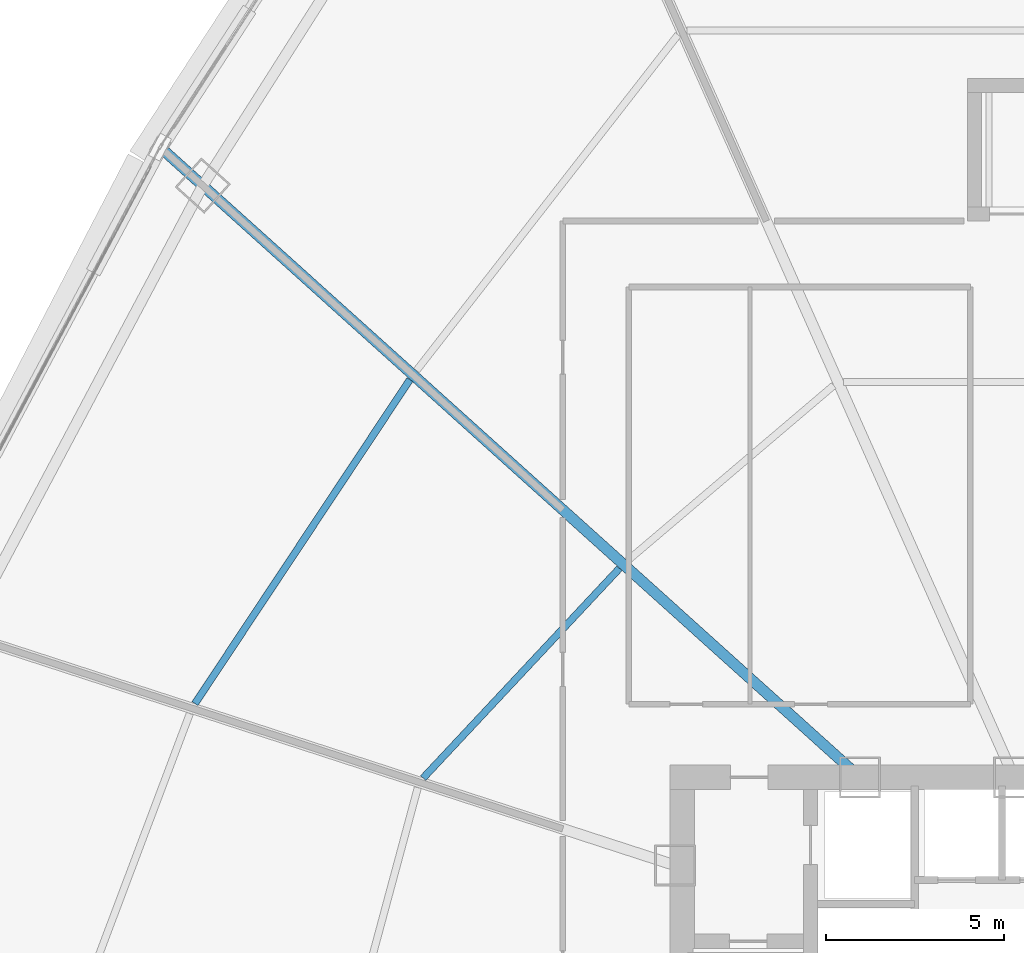
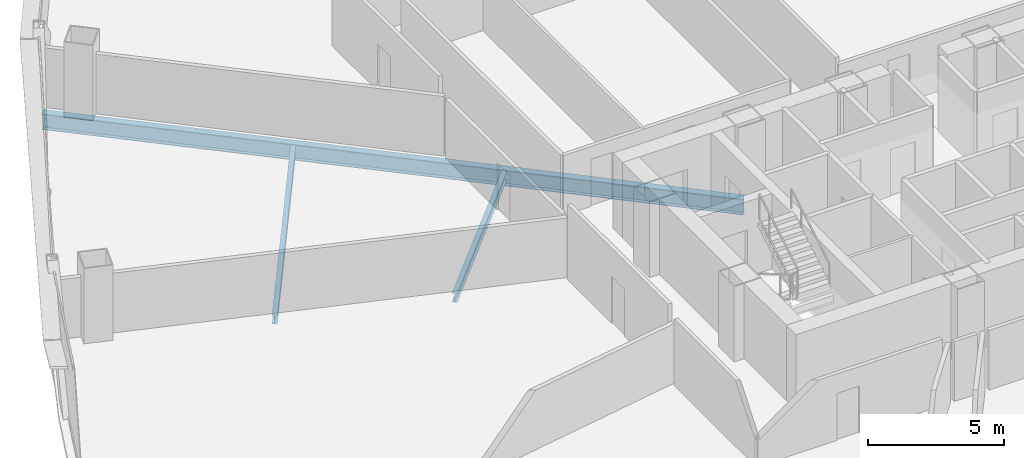
# One storey, part 15 of 42: 3 beams.
"""IFC4 building model written with IfcOpenShell, lengths in metres."""

from ifc_helpers import new_model, si_unit, direction, frame, origin, origin_2d, place, context, subcontext, project, spatial, i_section, extrude, source, transform, mapped, material, material_profile, profile_set, type_object, element, save


model = new_model("IFC4")

# Units and contexts
model_context = context("Model", 3, precision=1e-05, world=origin(), true_north=direction((0.0, 1.0)))
body_context = subcontext(model_context, "Body", "Model", "MODEL_VIEW")
ifc_project = project(units=[si_unit("LENGTHUNIT", "METRE"), si_unit("AREAUNIT", "SQUARE_METRE"), si_unit("VOLUMEUNIT", "CUBIC_METRE"), si_unit("PLANEANGLEUNIT", "RADIAN"), si_unit("MASSUNIT", "GRAM", prefix="KILO"), si_unit("THERMODYNAMICTEMPERATUREUNIT", "KELVIN"), si_unit("POWERUNIT", "WATT")], contexts=[model_context])

# Site, building, storey
site_placement = place(None, origin())
site = spatial("IfcSite", under=ifc_project, at=site_placement, CompositionType="ELEMENT")
building_placement = place(site_placement, origin())
building = spatial("IfcBuilding", under=site, at=building_placement, Name="Yunzhuo Pagoda Commons", CompositionType="ELEMENT")
storey_placement = place(building_placement, frame((0.0, 0.0, 44.919921875)))
storey = spatial("IfcBuildingStorey", under=building, at=storey_placement, Name="L11", CompositionType="ELEMENT", Elevation=44.919921875)

# Beams
ifc_material = material(Name="Structural steel Q355B", Category="steel")
ifc_material_profile_1 = material_profile(ifc_material, i_section(OverallWidth=0.199951171875, OverallDepth=0.39990234375, WebThickness=0.008056640625, FlangeThickness=0.012939453125, at=origin_2d()), Name="Structural steel Q355B")
ifc_profile_set_1 = profile_set([ifc_material_profile_1], Name="Structural steel Q355B")
beam_type_1 = type_object("IfcBeamType", Name="B-JS1 Joist HN 400x200x8x13", PredefinedType="JOIST", material=ifc_profile_set_1)
shared_shape_1 = source(origin(), body_context, "Body", "SweptSolid", [
    extrude(i_section(OverallWidth=0.199951171875, OverallDepth=0.39990234375, WebThickness=0.008056640625, FlangeThickness=0.012939453125, at=origin_2d()), origin(), (0.0, 0.0, 1.0), 8.055908203125),
])
beam_1_placement = place(storey_placement, frame((34.03759765625, 46.057861328125, -0.4599609375), z_axis=(-0.683432879027, -0.730013355949, 0.0), x_axis=(0.730013355949, -0.683432879027, 0.0)))
element("IfcBeam", 1, at=beam_1_placement, inside=storey, type_object=beam_type_1, Name="L11 composite ring joist 1.10", PredefinedType="JOIST", context=body_context, shape_type="MappedRepresentation", body=[
    mapped(shared_shape_1, transform((0.0, 0.0, 0.0), scale=1.0)),
])
shared_shape_2 = source(origin(), body_context, "Body", "SweptSolid", [
    extrude(i_section(OverallWidth=0.199951171875, OverallDepth=0.39990234375, WebThickness=0.008056640625, FlangeThickness=0.012939453125, at=origin_2d()), origin(), (0.0, 0.0, 1.0), 10.904052734375),
])
beam_2_placement = place(storey_placement, frame((28.160888671875, 51.351806640625, -0.4599609375), z_axis=(-0.552916349928, -0.833236767061, 0.0), x_axis=(0.833236767061, -0.552916349928, 0.0)))
element("IfcBeam", 2, at=beam_2_placement, inside=storey, type_object=beam_type_1, Name="L11 composite ring joist 2.10", PredefinedType="JOIST", context=body_context, shape_type="MappedRepresentation", body=[
    mapped(shared_shape_2, transform((0.0, 0.0, 0.0), scale=1.0)),
])
ifc_material_profile_2 = material_profile(ifc_material, i_section(OverallWidth=0.300048828125, OverallDepth=0.699951171875, WebThickness=0.012939453125, FlangeThickness=0.02392578125, at=origin_2d()), Name="Structural steel Q355B")
ifc_profile_set_2 = profile_set([ifc_material_profile_2], Name="Structural steel Q355B")
beam_type_2 = type_object("IfcBeamType", Name="B-RG1 Beam HN 700x300x13x24", PredefinedType="BEAM", material=ifc_profile_set_2)
shared_shape_3 = source(origin(), body_context, "Body", "SweptSolid", [
    extrude(i_section(OverallWidth=0.300048828125, OverallDepth=0.699951171875, WebThickness=0.012939453125, FlangeThickness=0.02392578125, at=origin_2d()), origin(), (0.0, 0.0, 1.0), 26.257568359375),
])
beam_3_placement = place(storey_placement, frame((21.267822265625, 57.769775390625, -0.60986328125), z_axis=(0.743143409048, -0.66913217946, 0.0), x_axis=(0.66913217946, 0.743143409048, 0.0)))
element("IfcBeam", 3, at=beam_3_placement, inside=storey, type_object=beam_type_2, Name="L11 radial floor girder F3C2", PredefinedType="BEAM", context=body_context, shape_type="MappedRepresentation", body=[
    mapped(shared_shape_3, transform((0.0, 0.0, 0.0), scale=1.0)),
])

save(model, "model.ifc")
